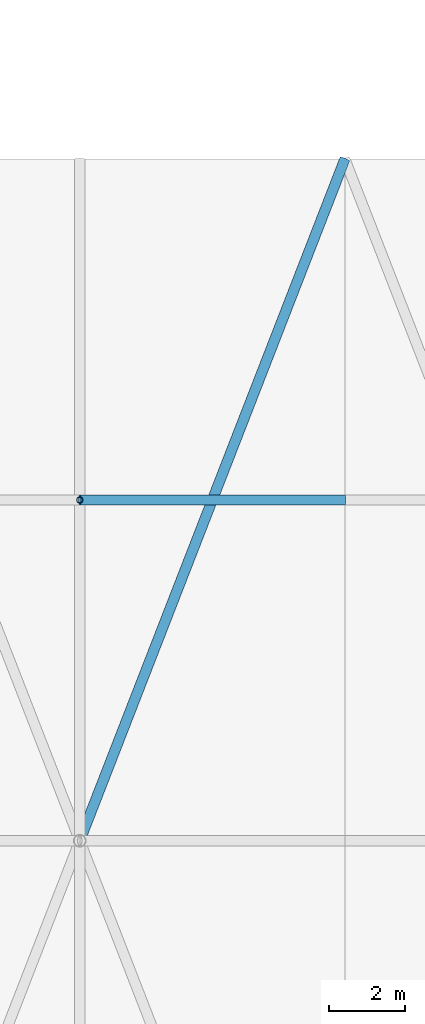
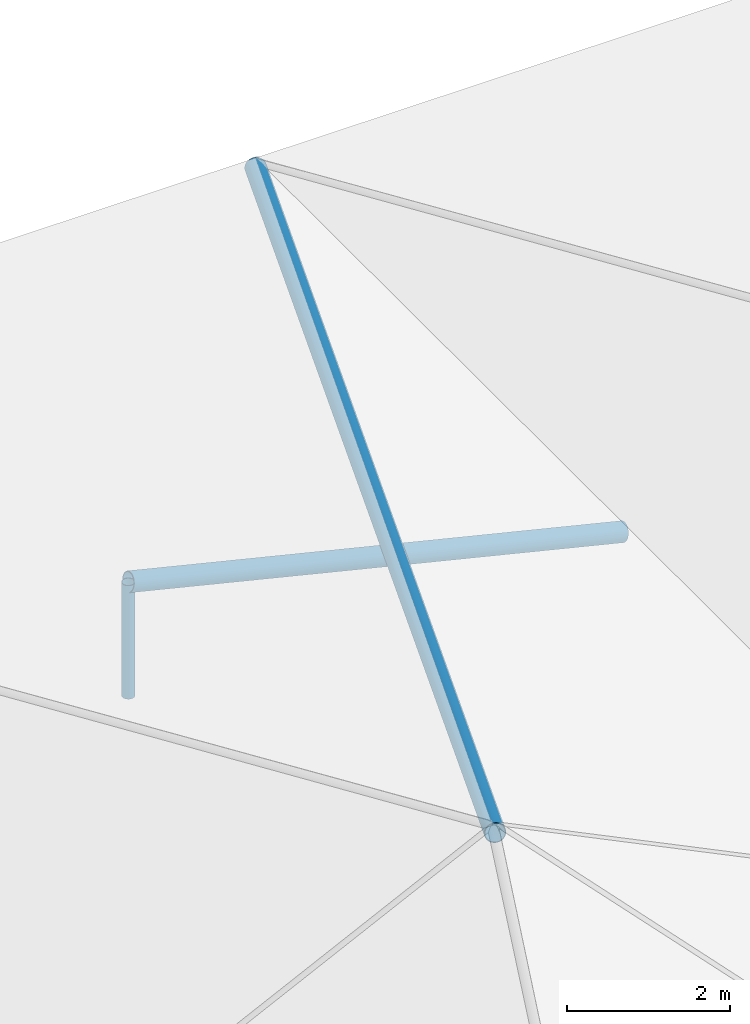
# One storey, part 49 of 93: 3 members.
"""IFC4 building model written with IfcOpenShell, lengths in metres."""

from ifc_helpers import new_model, si_unit, derived_unit, direction, frame, origin, origin_2d_with_axis, place, context, subcontext, project, spatial, hollow_circle, extrude, material, material_profile, profile_set, type_object, element, save


model = new_model("IFC4")

# Units and contexts
model_context = context("Model", 3, precision=1e-05, world=origin(), true_north=direction((0.0, 1.0)))
body_context = subcontext(model_context, "Body", "Model", "MODEL_VIEW")
ifc_project = project(units=[si_unit("LENGTHUNIT", "METRE"), si_unit("AREAUNIT", "SQUARE_METRE"), si_unit("VOLUMEUNIT", "CUBIC_METRE"), si_unit("PLANEANGLEUNIT", "RADIAN"), si_unit("MASSUNIT", "GRAM", prefix="KILO"), derived_unit("THERMALTRANSMITTANCEUNIT", [(si_unit("POWERUNIT", "WATT"), 1), (si_unit("LENGTHUNIT", "METRE"), -2), (si_unit("THERMODYNAMICTEMPERATUREUNIT", "KELVIN"), -1)])], contexts=[model_context])

# Site, building, storey
site_placement = place(None, origin())
site = spatial("IfcSite", under=ifc_project, at=site_placement, CompositionType="ELEMENT")
building_placement = place(site_placement, origin())
building = spatial("IfcBuilding", under=site, at=building_placement, Name="Cinnabar Yard Market Hall", CompositionType="ELEMENT")
storey_placement = place(building_placement, frame((0.0, 0.0, 23.800048828125)))
storey = spatial("IfcBuildingStorey", under=building, at=storey_placement, Name="ROOF", CompositionType="ELEMENT", Elevation=23.800048828125)

# Members
ifc_material = material(Name="Cold-formed steel C350L0", Category="steel")
ifc_material_profile_1 = material_profile(ifc_material, hollow_circle(Radius=0.136474609375, WallThickness=0.00927734375, at=origin_2d_with_axis()), Name="273.1x9.3CHS")
ifc_profile_set_1 = profile_set([ifc_material_profile_1], Name="Cold-formed steel C350L0")
member_type_1 = type_object("IfcMemberType", Name="MB-TC02", PredefinedType="CHORD", material=ifc_profile_set_1)
member_1_placement = place(storey_placement, frame((38.0, 84.0, -15.400146484375), z_axis=(-0.356956605479, -0.917888414088, 0.173386392456), x_axis=(0.932004671541, -0.362446261155, 0.0)))
element("IfcMember", 1, at=member_1_placement, inside=storey, type_object=member_type_1, Name="Chhatri Hip Rafter CH2-3", PredefinedType="CHORD", context=body_context, shape_type="SweptSolid", body=[
    extrude(hollow_circle(Radius=0.136474609375, WallThickness=0.00927734375, at=origin_2d_with_axis()), origin(), (0.0, 0.0, 1.0), 19.610107421875),
])
member_2_placement = place(storey_placement, frame((31.0, 75.0, -13.699951171875), z_axis=(0.971747485636, 0.0, -0.23602293143), x_axis=(0.0, 1.0, 0.0)))
element("IfcMember", 2, at=member_2_placement, inside=storey, type_object=member_type_1, Name="Chhatri Rafter CH2-75B", PredefinedType="CHORD", context=body_context, shape_type="SweptSolid", body=[
    extrude(hollow_circle(Radius=0.136474609375, WallThickness=0.00927734375, at=origin_2d_with_axis()), origin(), (0.0, 0.0, 1.0), 7.20361328125),
])
ifc_material_profile_2 = material_profile(ifc_material, hollow_circle(Radius=0.084228515625, WallThickness=0.00634765625, at=origin_2d_with_axis()), Name="168.3x6.4CHS")
ifc_profile_set_2 = profile_set([ifc_material_profile_2], Name="Cold-formed steel C350L0")
member_type_2 = type_object("IfcMemberType", Name="MB-WB01", PredefinedType="STRUT", material=ifc_profile_set_2)
member_3_placement = place(storey_placement, frame((31.0, 75.0, -15.400146484375), z_axis=(0.0, 0.0, 1.0), x_axis=(1.0, 0.0, 0.0)))
element("IfcMember", 3, at=member_3_placement, inside=storey, type_object=member_type_2, Name="Chhatri Support Post CH2-75", PredefinedType="STRUT", context=body_context, shape_type="SweptSolid", body=[
    extrude(hollow_circle(Radius=0.084228515625, WallThickness=0.00634765625, at=origin_2d_with_axis()), origin(), (0.0, 0.0, 1.0), 1.7001953125),
])

save(model, "model.ifc")
